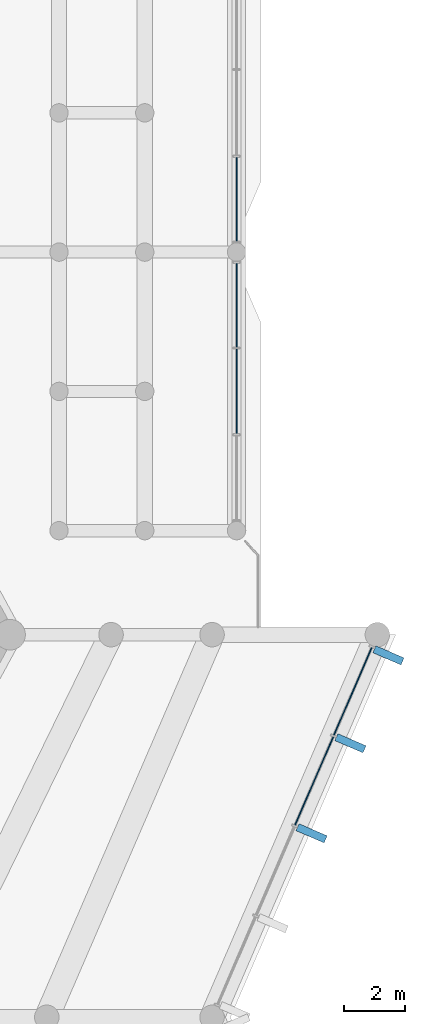
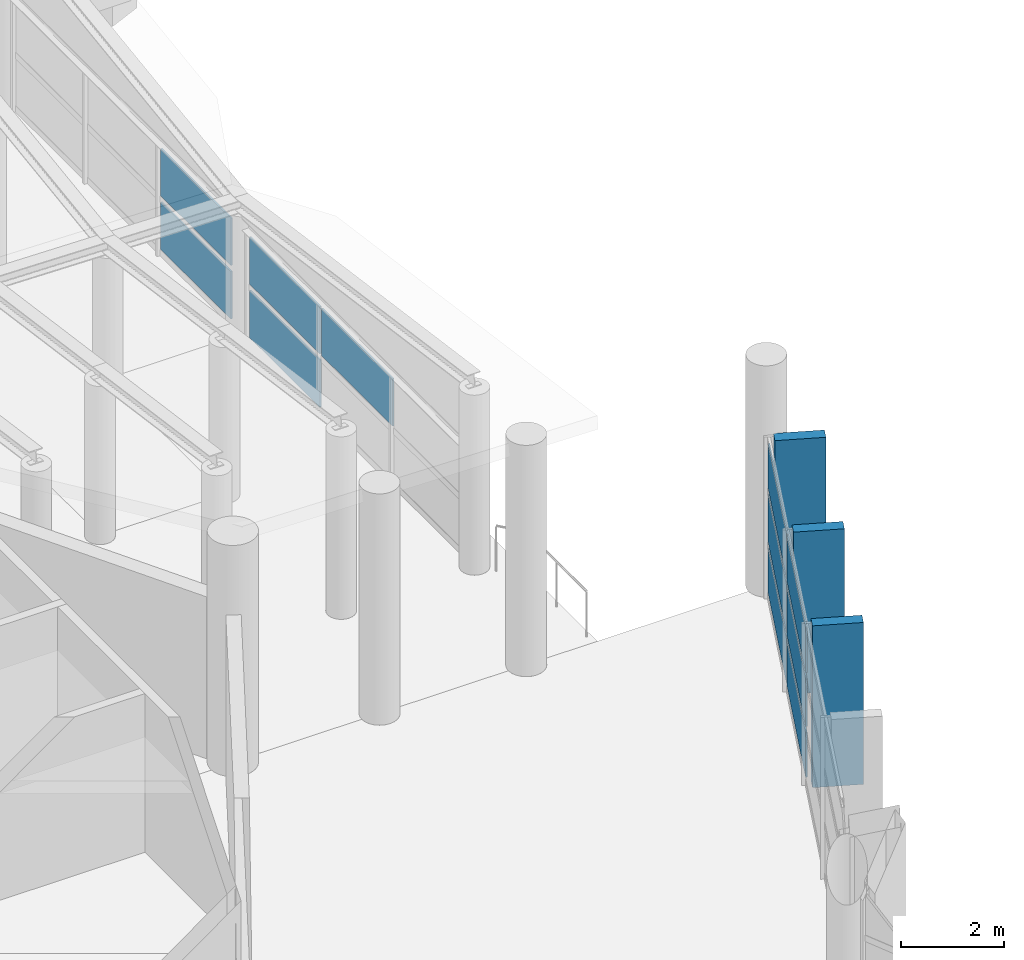
# One storey, part 136 of 271: 14 plates, 3 elements without a shape of their own.
"""IFC4 building model written with IfcOpenShell, lengths in metres."""

import ifcopenshell
import ifcopenshell.guid

model = None  # the IFC model being written
_history = None  # IfcOwnerHistory: only IFC2X3 demands one
_inside = {}  # id of a spatial element -> (the spatial element, [elements in it])
_under = {}  # id of a project, library or spatial element -> (it, [spatial elements below it])
_declared = {}  # id of a project -> (the project, [libraries it declares])
_typed = {}  # id of a type object -> (the type object, [elements of that type])
_made_of = {}  # id of a material, layer set ... -> (it, [elements and type objects made of it])


def new_model(schema):
    """Start an empty IFC model of exactly this schema.

    Asked for "IFC4X3", IfcOpenShell would pick the latest addendum, in which some entities
    have other attributes; the version numbers below select the first issue.
    IFC2X3 requires an IfcOwnerHistory on every rooted entity: one is made here for all.
    """
    global model, _history
    if schema == "IFC4X3":
        model = ifcopenshell.file(schema_version=(4, 3, 0, 0))
    else:
        model = ifcopenshell.file(schema=schema)
    _inside.clear()
    _under.clear()
    _declared.clear()
    _typed.clear()
    _made_of.clear()
    _history = None
    if model.schema == "IFC2X3":
        org = make("IfcOrganization", Name="unknown")
        user = make(
            "IfcPersonAndOrganization",
            ThePerson=make("IfcPerson", FamilyName="unknown"),
            TheOrganization=org,
        )
        app = make(
            "IfcApplication",
            ApplicationDeveloper=org,
            Version="unknown",
            ApplicationFullName="unknown",
            ApplicationIdentifier="unknown",
        )
        _history = make(
            "IfcOwnerHistory",
            OwningUser=user,
            OwningApplication=app,
            ChangeAction="ADDED",
            CreationDate=0,
        )
    return model


def make(cls, **values):
    """One entity of the class cls with the attributes given. An attribute that is None is left unset."""
    return model.create_entity(
        cls, **{name: value for name, value in values.items() if value is not None}
    )


def rooted(cls, **values):
    """An entity with a GlobalId (a new one), such as an element, a storey or a relation."""
    return make(cls, GlobalId=ifcopenshell.guid.new(), OwnerHistory=_history, **values)


def si_unit(unit_type, name, prefix=None):
    """IfcSIUnit, for example si_unit("LENGTHUNIT", "METRE", prefix="MILLI")."""
    return make("IfcSIUnit", UnitType=unit_type, Prefix=prefix, Name=name)


def assignment(units):
    """IfcUnitAssignment: the units of a project."""
    return None if units is None else make("IfcUnitAssignment", Units=units)


def point(xyz):
    """IfcCartesianPoint."""
    return None if xyz is None else make("IfcCartesianPoint", Coordinates=xyz)


def direction(xyz):
    """IfcDirection."""
    return None if xyz is None else make("IfcDirection", DirectionRatios=xyz)


def frame(location, z_axis=None, x_axis=None):
    """IfcAxis2Placement3D, a coordinate frame: its origin and axes. An axis left out is left unset."""
    return make(
        "IfcAxis2Placement3D",
        Location=point(location),
        Axis=direction(z_axis),
        RefDirection=direction(x_axis),
    )


def frame_2d(location, x_axis=None):
    """IfcAxis2Placement2D, a coordinate frame in the plane: its origin and x axis."""
    return make(
        "IfcAxis2Placement2D", Location=point(location), RefDirection=direction(x_axis)
    )


def origin():
    """The frame at (0, 0, 0) with its axes left unset."""
    return frame((0.0, 0.0, 0.0))


def origin_2d():
    """The frame at (0, 0) in the plane with its x axis left unset."""
    return frame_2d((0.0, 0.0))


def place(relative_to, where):
    """IfcLocalPlacement: puts the frame where relative to a parent placement (None: the world)."""
    return make(
        "IfcLocalPlacement", PlacementRelTo=relative_to, RelativePlacement=where
    )


def context(
    kind, dimensions, precision=None, world=None, true_north=None, identifier=None
):
    """IfcGeometricRepresentationContext, for example the 3D "Model" context."""
    return make(
        "IfcGeometricRepresentationContext",
        ContextIdentifier=identifier,
        ContextType=kind,
        CoordinateSpaceDimension=dimensions,
        Precision=precision,
        WorldCoordinateSystem=world,
        TrueNorth=true_north,
    )


def subcontext(parent, identifier, kind, view, scale=None):
    """IfcGeometricRepresentationSubContext, for example "Body" below "Model"."""
    return make(
        "IfcGeometricRepresentationSubContext",
        ContextIdentifier=identifier,
        ContextType=kind,
        ParentContext=parent,
        TargetScale=scale,
        TargetView=view,
    )


def project(units=None, contexts=None):
    """IfcProject with its units and contexts."""
    return rooted(
        "IfcProject",
        Name="project",
        RepresentationContexts=contexts,
        UnitsInContext=assignment(units),
    )


def spatial(cls, under=None, at=None, **own):
    """A site, building, storey or space (cls), placed at a placement, below another one or the project."""
    s = rooted(cls, ObjectPlacement=at, **own)
    if under is not None:
        _under.setdefault(under.id(), (under, []))[1].append(s)
    return s


def profile(cls, at=None, kind="AREA", **sizes):
    """A parametric profile (cls). Its sizes go by their IFC names, for example OverallWidth=200.0."""
    return make(cls, ProfileType=kind, Position=at, **sizes)


def rectangle(**sizes):
    """IfcRectangleProfileDef."""
    return profile("IfcRectangleProfileDef", **sizes)


def extrude(swept, where, along, depth):
    """IfcExtrudedAreaSolid: the profile swept, set in the frame where, extruded along a direction by depth."""
    return make(
        "IfcExtrudedAreaSolid",
        SweptArea=swept,
        Position=where,
        ExtrudedDirection=direction(along),
        Depth=depth,
    )


def shape(context_of_items, identifier, shape_type, items):
    """IfcShapeRepresentation: the items that make up one representation, for example the "Body"."""
    return make(
        "IfcShapeRepresentation",
        ContextOfItems=context_of_items,
        RepresentationIdentifier=identifier,
        RepresentationType=shape_type,
        Items=items,
    )


def material(Name=None, Category=None):
    """IfcMaterial."""
    return make("IfcMaterial", Name=Name, Category=Category)


def layer(
    of_material, thickness, ventilated=None, Name=None, Category=None, Priority=None
):
    """IfcMaterialLayer: one layer of a wall or slab, of a material (None: an air gap)."""
    return make(
        "IfcMaterialLayer",
        Material=of_material,
        LayerThickness=thickness,
        IsVentilated=ventilated,
        Name=Name,
        Category=Category,
        Priority=Priority,
    )


def layer_set(layers, Name=None):
    """IfcMaterialLayerSet."""
    return make("IfcMaterialLayerSet", MaterialLayers=layers, LayerSetName=Name)


def made_of(thing, what):
    """Note that an element or type object is made of a material, layer set ...; save() writes the relation."""
    if what is not None:
        _made_of.setdefault(what.id(), (what, []))[1].append(thing)
    return thing


def type_object(cls, material=None, **own):
    """A type object (cls), such as IfcWallType, which elements share."""
    return made_of(rooted(cls, **own), material)


def element(
    cls,
    number,
    at=None,
    inside=None,
    cuts=None,
    type_object=None,
    material=None,
    context=None,
    identifier="Body",
    shape_type=None,
    held_by="IfcProductDefinitionShape",
    body=None,
    shapes=None,
    **own,
):
    """One element of the class cls, such as IfcWall. Its Tag is "e" and its number.

    at: its placement. inside: the storey or other place that contains it. cuts: it is an
    opening in that element (IfcRelVoidsElement). A single representation is given by context,
    identifier, shape_type and body (its items); several are given by shapes. held_by: the class
    of the entity that holds the representations. save() writes the other relations.
    """
    e = rooted(cls, Tag="e%d" % number, ObjectPlacement=at, **own)
    if body is not None:
        shapes = [shape(context, identifier, shape_type, body)]
    if shapes is not None:
        e.Representation = make(held_by, Representations=shapes)
    if inside is not None:
        _inside.setdefault(inside.id(), (inside, []))[1].append(e)
    if cuts is not None:
        rooted(
            "IfcRelVoidsElement", RelatingBuildingElement=cuts, RelatedOpeningElement=e
        )
    if type_object is not None:
        _typed.setdefault(type_object.id(), (type_object, []))[1].append(e)
    return made_of(e, material)


def aggregate(whole, parts):
    """IfcRelAggregates: a whole, such as a stair, and the parts it consists of."""
    return rooted("IfcRelAggregates", RelatingObject=whole, RelatedObjects=parts)


def save(model, path):
    """Write the relations noted so far, then the file.

    IfcRelAggregates (storeys below a building ...), IfcRelContainedInSpatialStructure (elements
    in a storey), IfcRelDefinesByType, IfcRelAssociatesMaterial and IfcRelDeclares: one each for
    every whole, place, type object, material and project.
    """
    for whole, parts in _under.values():
        aggregate(whole, parts)
    for where, things in _inside.values():
        rooted(
            "IfcRelContainedInSpatialStructure",
            RelatedElements=things,
            RelatingStructure=where,
        )
    for kind, things in _typed.values():
        rooted("IfcRelDefinesByType", RelatedObjects=things, RelatingType=kind)
    for what, things in _made_of.values():
        rooted("IfcRelAssociatesMaterial", RelatedObjects=things, RelatingMaterial=what)
    for by, libraries in _declared.values():
        rooted("IfcRelDeclares", RelatingContext=by, RelatedDefinitions=libraries)
    model.write(path)


model = new_model("IFC4")

# Units and contexts
model_context = context("Model", 3, precision=1e-05, world=origin(), true_north=direction((0.0, 1.0)))
body_context = subcontext(model_context, "Body", "Model", "MODEL_VIEW")
ifc_project = project(units=[si_unit("LENGTHUNIT", "METRE"), si_unit("AREAUNIT", "SQUARE_METRE"), si_unit("VOLUMEUNIT", "CUBIC_METRE"), si_unit("PLANEANGLEUNIT", "RADIAN"), si_unit("MASSUNIT", "GRAM", prefix="KILO")], contexts=[model_context])

# Site, building, storey
site_placement = place(None, origin())
site = spatial("IfcSite", under=ifc_project, at=site_placement, CompositionType="ELEMENT")
building_placement = place(site_placement, origin())
building = spatial("IfcBuilding", under=site, at=building_placement, Name="Meseta Stadium", CompositionType="ELEMENT")
storey_placement = place(building_placement, frame((0.0, 0.0, 6.5)))
storey = spatial("IfcBuildingStorey", under=building, at=storey_placement, Name="L01", CompositionType="ELEMENT", Elevation=6.5)

# Curtain wall, plates
ifc_material_1 = material(Name="Aluminium", Category="aluminium")
ifc_layer_1 = layer(ifc_material_1, 0.199951171875)
ifc_layer_set_1 = layer_set([ifc_layer_1], Name="Ring shopfront curtain wall")
curtain_wall_type_1 = type_object("IfcCurtainWallType", Name="Ring shopfront curtain wall", PredefinedType="NOTDEFINED", material=ifc_layer_set_1)
curtain_wall_1_placement = place(storey_placement, origin())
curtain_wall_1 = element("IfcCurtainWall", 1, at=curtain_wall_1_placement, inside=storey, type_object=curtain_wall_type_1, Name="Ring glazing L01 F03", PredefinedType="NOTDEFINED")
ifc_material_2 = material(Name="Glass", Category="glass")
ifc_layer_2 = layer(ifc_material_2, 0.035888671875)
ifc_layer_set_2 = layer_set([ifc_layer_2], Name="Ring CW glass panel 36")
plate_type_1 = type_object("IfcPlateType", Name="Ring CW glass panel 36", PredefinedType="CURTAIN_PANEL", material=ifc_layer_set_2)
plate_1_placement = place(storey_placement, frame((111.33544921875, -11.029296875, 0.14990234375), z_axis=(0.0, 0.0, 1.0), x_axis=(0.396580687073, 0.91799986854, 0.0)))
plate_1 = element("IfcPlate", 2, at=plate_1_placement, type_object=plate_type_1, Name="CWR1 panel 3.1", PredefinedType="CURTAIN_PANEL", context=body_context, shape_type="SweptSolid", body=[
    extrude(rectangle(XDim=3.14404296875, YDim=0.035888671875, at=origin_2d()), origin(), (0.0, 0.0, 1.0), 1.058349609375),
])
plate_2_placement = place(storey_placement, frame((111.33544921875, -11.029296875, 1.3583984375), z_axis=(0.0, 0.0, 1.0), x_axis=(0.396580687073, 0.91799986854, 0.0)))
plate_2 = element("IfcPlate", 3, at=plate_2_placement, type_object=plate_type_1, Name="CWR1 panel 3.2", PredefinedType="CURTAIN_PANEL", context=body_context, shape_type="SweptSolid", body=[
    extrude(rectangle(XDim=3.14404296875, YDim=0.035888671875, at=origin_2d()), origin(), (0.0, 0.0, 1.0), 1.13330078125),
])
plate_3_placement = place(storey_placement, frame((111.33544921875, -11.029296875, 2.6416015625), z_axis=(0.0, 0.0, 1.0), x_axis=(0.396580687073, 0.91799986854, 0.0)))
plate_3 = element("IfcPlate", 4, at=plate_3_placement, type_object=plate_type_1, Name="CWR1 panel 3.3", PredefinedType="CURTAIN_PANEL", context=body_context, shape_type="SweptSolid", body=[
    extrude(rectangle(XDim=3.14404296875, YDim=0.035888671875, at=origin_2d()), origin(), (0.0, 0.0, 1.0), 1.058349609375),
])
plate_4_placement = place(storey_placement, frame((112.60009765625, -8.1015625, 0.14990234375), z_axis=(0.0, 0.0, 1.0), x_axis=(0.396580687073, 0.91799986854, 0.0)))
plate_4 = element("IfcPlate", 5, at=plate_4_placement, type_object=plate_type_1, Name="CWR1 panel 4.1", PredefinedType="CURTAIN_PANEL", context=body_context, shape_type="SweptSolid", body=[
    extrude(rectangle(XDim=3.1142578125, YDim=0.035888671875, at=origin_2d()), origin(), (0.0, 0.0, 1.0), 1.058349609375),
])
plate_5_placement = place(storey_placement, frame((112.60009765625, -8.1015625, 1.3583984375), z_axis=(0.0, 0.0, 1.0), x_axis=(0.396580687073, 0.91799986854, 0.0)))
plate_5 = element("IfcPlate", 6, at=plate_5_placement, type_object=plate_type_1, Name="CWR1 panel 4.2", PredefinedType="CURTAIN_PANEL", context=body_context, shape_type="SweptSolid", body=[
    extrude(rectangle(XDim=3.1142578125, YDim=0.035888671875, at=origin_2d()), origin(), (0.0, 0.0, 1.0), 1.13330078125),
])
plate_6_placement = place(storey_placement, frame((112.60009765625, -8.1015625, 2.6416015625), z_axis=(0.0, 0.0, 1.0), x_axis=(0.396580687073, 0.91799986854, 0.0)))
plate_6 = element("IfcPlate", 7, at=plate_6_placement, type_object=plate_type_1, Name="CWR1 panel 4.3", PredefinedType="CURTAIN_PANEL", context=body_context, shape_type="SweptSolid", body=[
    extrude(rectangle(XDim=3.1142578125, YDim=0.035888671875, at=origin_2d()), origin(), (0.0, 0.0, 1.0), 1.058349609375),
])
aggregate(curtain_wall_1, [plate_1, plate_2, plate_3, plate_4, plate_5, plate_6])

ifc_material_3 = material(Name="Aluminium", Category="aluminium")
ifc_layer_3 = layer(ifc_material_3, 0.199951171875)
ifc_layer_set_3 = layer_set([ifc_layer_3], Name="Gate hall curtain wall")
curtain_wall_type_2 = type_object("IfcCurtainWallType", Name="Gate hall curtain wall", PredefinedType="NOTDEFINED", material=ifc_layer_set_3)
curtain_wall_2_placement = place(storey_placement, origin())
curtain_wall_2 = element("IfcCurtainWall", 8, at=curtain_wall_2_placement, inside=storey, type_object=curtain_wall_type_2, Name="Gate 1 hall glazing", PredefinedType="NOTDEFINED")
plate_7_placement = place(storey_placement, frame((108.800048828125, 4.518310546875, 0.14990234375), z_axis=(0.0, 0.0, 1.0), x_axis=(0.0, -1.0, 0.0)))
plate_7 = element("IfcPlate", 9, at=plate_7_placement, type_object=plate_type_1, Name="CWG1 panel 1.1", PredefinedType="CURTAIN_PANEL", context=body_context, shape_type="SweptSolid", body=[
    extrude(rectangle(XDim=2.743408203125, YDim=0.035888671875, at=origin_2d()), origin(), (0.0, 0.0, 1.0), 1.123046875),
])
plate_8_placement = place(storey_placement, frame((108.800048828125, 4.518310546875, 1.423095703125), z_axis=(0.0, 0.0, 1.0), x_axis=(0.0, -1.0, 0.0)))
plate_8 = element("IfcPlate", 10, at=plate_8_placement, type_object=plate_type_1, Name="CWG1 panel 1.2", PredefinedType="CURTAIN_PANEL", context=body_context, shape_type="SweptSolid", body=[
    extrude(rectangle(XDim=2.743408203125, YDim=0.035888671875, at=origin_2d()), origin(), (0.0, 0.0, 1.0), 1.123046875),
])
plate_9_placement = place(storey_placement, frame((108.800048828125, 1.699951171875, 1.423095703125), z_axis=(0.0, 0.0, 1.0), x_axis=(0.0, -1.0, 0.0)))
plate_9 = element("IfcPlate", 11, at=plate_9_placement, type_object=plate_type_1, Name="CWG1 panel 2.2", PredefinedType="CURTAIN_PANEL", context=body_context, shape_type="SweptSolid", body=[
    extrude(rectangle(XDim=2.7734375, YDim=0.035888671875, at=origin_2d()), origin(), (0.0, 0.0, 1.0), 1.123046875),
])
aggregate(curtain_wall_2, [plate_7, plate_8, plate_9])

curtain_wall_3_placement = place(storey_placement, origin())
curtain_wall_3 = element("IfcCurtainWall", 12, at=curtain_wall_3_placement, inside=storey, type_object=curtain_wall_type_2, Name="Gate 1 hall glazing", PredefinedType="NOTDEFINED")
plate_10_placement = place(storey_placement, frame((108.800048828125, 7.981689453125, 0.14990234375), z_axis=(0.0, 0.0, 1.0), x_axis=(0.0, -1.0, 0.0)))
plate_10 = element("IfcPlate", 13, at=plate_10_placement, type_object=plate_type_1, Name="CWG1 panel 3.1", PredefinedType="CURTAIN_PANEL", context=body_context, shape_type="SweptSolid", body=[
    extrude(rectangle(XDim=2.743408203125, YDim=0.035888671875, at=origin_2d()), origin(), (0.0, 0.0, 1.0), 1.123046875),
])
plate_11_placement = place(storey_placement, frame((108.800048828125, 7.981689453125, 1.423095703125), z_axis=(0.0, 0.0, 1.0), x_axis=(0.0, -1.0, 0.0)))
plate_11 = element("IfcPlate", 14, at=plate_11_placement, type_object=plate_type_1, Name="CWG1 panel 3.2", PredefinedType="CURTAIN_PANEL", context=body_context, shape_type="SweptSolid", body=[
    extrude(rectangle(XDim=2.743408203125, YDim=0.035888671875, at=origin_2d()), origin(), (0.0, 0.0, 1.0), 1.123046875),
])
aggregate(curtain_wall_3, [plate_10, plate_11])

# Plates
ifc_material_4 = material(Name="Precast concrete C40/50", Category="concrete")
ifc_layer_4 = layer(ifc_material_4, 0.25)
ifc_layer_set_4 = layer_set([ifc_layer_4], Name="Ring brise-soleil fin 250x1000")
plate_type_2 = type_object("IfcPlateType", Name="Ring brise-soleil fin 250x1000", PredefinedType="USERDEFINED", material=ifc_layer_set_4)
for number, where, z_axis, x_axis, name in (
    (15, (111.250732421875, -12.73779296875, 0.0), (0.0, 0.0, 1.0), (0.396575976693, 0.918001903435, 0.0), "Brise-soleil fin L01 F03.3"),
    (16, (112.521484375, -9.79638671875, 0.0), (0.0, 0.0, 1.0), (0.396575976693, 0.918001903435, 0.0), "Brise-soleil fin L01 F03.4"),
    (17, (113.762451171875, -6.924072265625, 0.0), (0.0, 0.0, 1.0), (0.396575976693, 0.918001903435, 0.0), "Brise-soleil fin L01 F03.5"),
):
    element("IfcPlate", number, at=place(storey_placement, frame(where, z_axis=z_axis, x_axis=x_axis)), inside=storey, type_object=plate_type_2, Name=name, ObjectType="FIN", PredefinedType="USERDEFINED", context=body_context, shape_type="SweptSolid", body=[
        extrude(rectangle(XDim=0.25, YDim=1.0, at=origin_2d()), origin(), (0.0, 0.0, 1.0), 3.85009765625),
    ])

save(model, "model.ifc")
